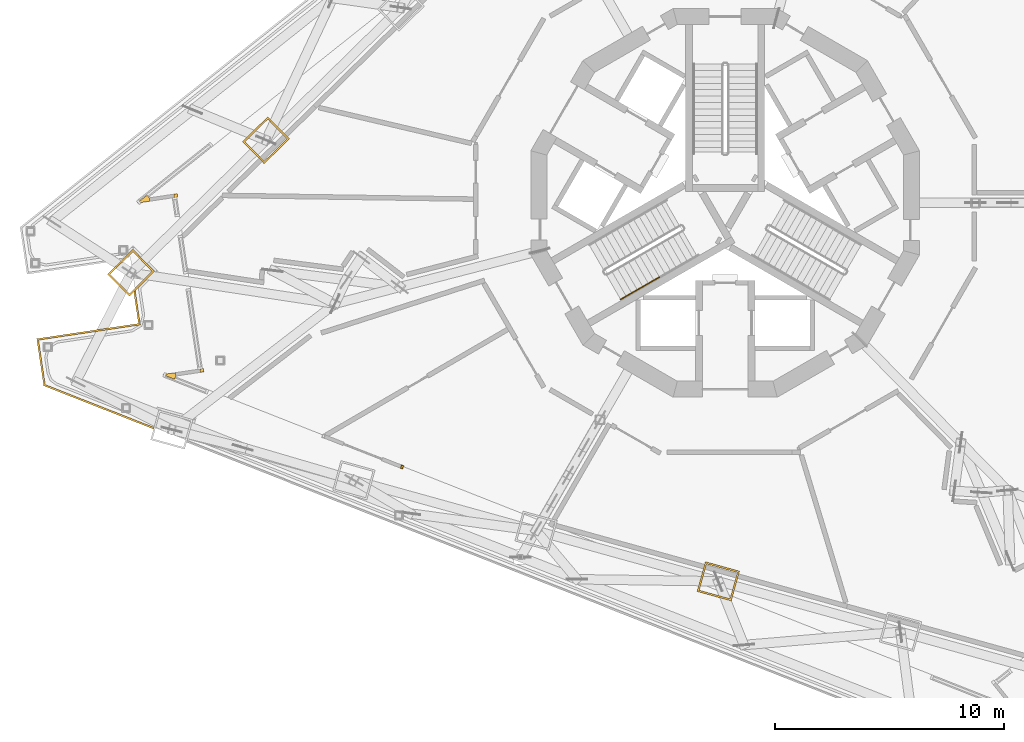
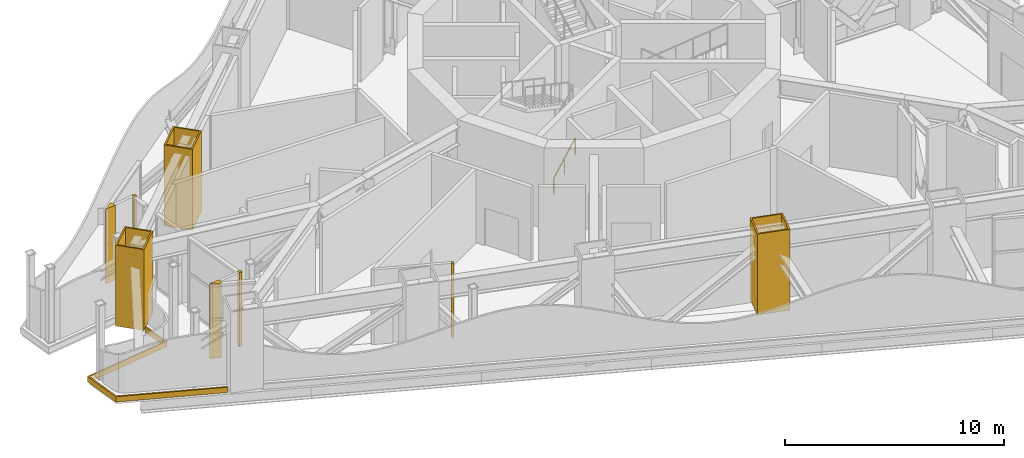
# One storey, part 20 of 27: 9 coverings, 1 railing.
"""IFC4 building model written with IfcOpenShell, lengths in metres."""

from ifc_helpers import new_model, si_unit, direction, frame, origin, origin_2d, place, context, subcontext, project, spatial, polyline, circle, outline, extrude, material, layer, layer_set, type_object, element, save


model = new_model("IFC4")

# Units and contexts
model_context = context("Model", 3, precision=1e-05, world=origin(), true_north=direction((0.0, 1.0)))
body_context = subcontext(model_context, "Body", "Model", "MODEL_VIEW")
ifc_project = project(units=[si_unit("LENGTHUNIT", "METRE"), si_unit("AREAUNIT", "SQUARE_METRE"), si_unit("VOLUMEUNIT", "CUBIC_METRE"), si_unit("PLANEANGLEUNIT", "RADIAN"), si_unit("MASSUNIT", "GRAM", prefix="KILO")], contexts=[model_context])

# Site, building, storey
site_placement = place(None, origin())
site = spatial("IfcSite", under=ifc_project, at=site_placement, CompositionType="ELEMENT")
building_placement = place(site_placement, origin())
building = spatial("IfcBuilding", under=site, at=building_placement, Name="Trine Commons Tower", CompositionType="ELEMENT")
storey_placement = place(building_placement, frame((0.0, 0.0, 230.39990234375)))
storey = spatial("IfcBuildingStorey", under=building, at=storey_placement, Name="L60", CompositionType="ELEMENT", Elevation=230.39990234375)

# Coverings
ifc_material_1 = material(Name="Aluminium-framed insulated wall panel", Category="aluminium")
ifc_layer_1 = layer(ifc_material_1, 0.14990234375)
ifc_layer_set_1 = layer_set([ifc_layer_1], Name="Aluminium-framed insulated wall panel")
covering_type_1 = type_object("IfcCoveringType", Name="Glazing corner post, aluminium", PredefinedType="CLADDING", material=ifc_layer_set_1)
covering_1_placement = place(storey_placement, origin())
element("IfcCovering", 1, at=covering_1_placement, inside=storey, type_object=covering_type_1, Name="Entrance wall jamb post F3 9A", PredefinedType="CLADDING", context=body_context, shape_type="SweptSolid", body=[
    extrude(outline(polyline([(65.8876953125, 50.86181640625), (65.794677734375, 50.8984375), (65.849609375, 51.0380859375), (65.942626953125, 51.00146484375), (65.8876953125, 50.86181640625)])), origin(), (0.0, 0.0, 1.0), 4.150146484375),
])
covering_2_placement = place(storey_placement, origin())
element("IfcCovering", 2, at=covering_2_placement, inside=storey, type_object=covering_type_1, Name="Glazing corner post 6-01", PredefinedType="CLADDING", context=body_context, shape_type="SweptSolid", body=[
    extrude(outline(polyline([(54.83642578125, 62.5712890625), (54.814208984375, 62.7197265625), (54.720947265625, 62.837158203125), (54.28271484375, 62.488525390625), (54.83642578125, 62.5712890625)])), origin(), (0.0, 0.0, 1.0), 4.150146484375),
])
covering_3_placement = place(storey_placement, origin())
element("IfcCovering", 3, at=covering_3_placement, inside=storey, type_object=covering_type_1, Name="Glazing corner post 6-10", PredefinedType="CLADDING", context=body_context, shape_type="SweptSolid", body=[
    extrude(outline(polyline([(55.924072265625, 54.78662109375), (55.97900390625, 54.92626953125), (55.956787109375, 55.07470703125), (55.4033203125, 54.991943359375), (55.924072265625, 54.78662109375)])), origin(), (0.0, 0.0, 1.0), 4.150146484375),
])
covering_4_placement = place(storey_placement, origin())
element("IfcCovering", 4, at=covering_4_placement, inside=storey, type_object=covering_type_1, Name="Glazing corner post 6-11", PredefinedType="CLADDING", context=body_context, shape_type="SweptSolid", body=[
    extrude(outline(polyline([(57.030517578125, 55.235107421875), (57.052734375, 55.0869140625), (57.201171875, 55.10888671875), (57.178955078125, 55.25732421875), (57.030517578125, 55.235107421875)])), origin(), (0.0, 0.0, 1.0), 4.150146484375),
])
covering_5_placement = place(storey_placement, origin())
element("IfcCovering", 5, at=covering_5_placement, inside=storey, type_object=covering_type_1, Name="Glazing corner post 6-12", PredefinedType="CLADDING", context=body_context, shape_type="SweptSolid", body=[
    extrude(outline(polyline([(55.91015625, 62.731689453125), (55.91015625, 62.731689453125), (56.05859375, 62.75390625), (56.036376953125, 62.90234375), (55.887939453125, 62.880126953125), (55.91015625, 62.731689453125)])), origin(), (0.0, 0.0, 1.0), 4.150146484375),
])
ifc_material_2 = material(Name="Limestone, honed", Category="masonry")
ifc_layer_2 = layer(ifc_material_2, 0.074951171875)
ifc_layer_set_2 = layer_set([ifc_layer_2], Name="Limestone, honed")
covering_type_2 = type_object("IfcCoveringType", Name="Limestone column cladding 75", PredefinedType="CLADDING", material=ifc_layer_set_2)
covering_6_placement = place(storey_placement, origin())
element("IfcCovering", 6, at=covering_6_placement, inside=storey, type_object=covering_type_2, Name="Limestone pier cladding 7-03", PredefinedType="CLADDING", context=body_context, shape_type="SweptSolid", body=[
    extrude(outline(polyline([(79.134521484375, 46.80810546875), (78.773681640625, 45.507080078125), (80.26708984375, 45.0927734375), (80.6279296875, 46.393798828125), (79.134521484375, 46.80810546875)]), holes=[polyline([(79.1865234375, 46.715576171875), (78.865966796875, 45.559326171875), (80.215087890625, 45.185302734375), (80.53564453125, 46.341552734375), (79.1865234375, 46.715576171875)])]), origin(), (0.0, 0.0, 1.0), 4.5),
])
covering_7_placement = place(storey_placement, origin())
element("IfcCovering", 7, at=covering_7_placement, inside=storey, type_object=covering_type_2, Name="Limestone pier cladding 7-07", PredefinedType="CLADDING", context=body_context, shape_type="SweptSolid", body=[
    extrude(outline(polyline([(55.0478515625, 59.50439453125), (54.1015625, 60.46728515625), (52.99609375, 59.380859375), (53.942138671875, 58.418212890625), (55.0478515625, 59.50439453125)]), holes=[polyline([(54.941650390625, 59.50537109375), (54.1005859375, 60.361328125), (53.10205078125, 59.3798828125), (53.943115234375, 58.524169921875), (54.941650390625, 59.50537109375)])]), origin(), (0.0, 0.0, 1.0), 4.5),
])
covering_8_placement = place(storey_placement, origin())
element("IfcCovering", 8, at=covering_8_placement, inside=storey, type_object=covering_type_2, Name="Limestone pier cladding 7-08", PredefinedType="CLADDING", context=body_context, shape_type="SweptSolid", body=[
    extrude(outline(polyline([(60.9453125, 65.300048828125), (59.999267578125, 66.262939453125), (58.8935546875, 65.176513671875), (59.83984375, 64.213623046875), (60.9453125, 65.300048828125)]), holes=[polyline([(60.83935546875, 65.301025390625), (59.998291015625, 66.156982421875), (58.999755859375, 65.175537109375), (59.8408203125, 64.319580078125), (60.83935546875, 65.301025390625)])]), origin(), (0.0, 0.0, 1.0), 4.5),
])
ifc_layer_3 = layer(ifc_material_2, 0.074951171875)
ifc_layer_set_3 = layer_set([ifc_layer_3], Name="Limestone, honed")
covering_type_3 = type_object("IfcCoveringType", Name="Limestone spandrel panel 75", PredefinedType="CLADDING", material=ifc_layer_set_3)
covering_9_placement = place(storey_placement, frame((0.0, 0.0, -0.2998046875)))
element("IfcCovering", 9, at=covering_9_placement, inside=storey, type_object=covering_type_3, Name="Limestone spandrel panel 6-01", PredefinedType="CLADDING", context=body_context, shape_type="SweptSolid", body=[
    extrude(outline(polyline([(50.19921875, 54.5), (55.00048828125, 52.608642578125), (55.020751953125, 52.681396484375), (50.26708984375, 54.5537109375), (49.976806640625, 56.496337890625), (54.42724609375, 57.16162109375), (54.201416015625, 58.672607421875), (54.13525390625, 58.60791015625), (54.342041015625, 57.224609375), (49.891357421875, 56.559326171875), (50.19921875, 54.5)])), origin(), (0.0, 0.0, 1.0), 0.2998046875),
])

# Railing
ifc_material_3 = material(Name="Stainless steel handrail", Category="steel")
railing_type = type_object("IfcRailingType", Name="Stair handrail, steel 900", PredefinedType="HANDRAIL", material=ifc_material_3)
railing_placement = place(storey_placement, frame((75.43017578125, 58.27392578125, 0.150146484375)))
element("IfcRailing", 10, at=railing_placement, inside=storey, type_object=railing_type, Name="L60 ST2C stair handrail 1", PredefinedType="HANDRAIL", context=body_context, shape_type="SweptSolid", body=[
    extrude(circle(Radius=0.02099609375, at=origin_2d()), frame((0.0, 0.0, 0.87890625), z_axis=(0.763397845365, 0.440713210311, 0.472224095054), x_axis=(-0.499970440388, 0.866042469362, 0.0)), (0.0, 0.0, 1.0), 2.2236328125),
    extrude(circle(Radius=0.01513671875, at=origin_2d()), origin(), (0.0, 0.0, 1.0), 0.85791015625),
    extrude(circle(Radius=0.01513671875, at=origin_2d()), frame((0.8486328125, 0.489990234375, 0.52490234375)), (0.0, 0.0, 1.0), 0.85791015625),
    extrude(circle(Radius=0.01513671875, at=origin_2d()), frame((1.697509765625, 0.97998046875, 1.050048828125)), (0.0, 0.0, 1.0), 0.85791015625),
])

save(model, "model.ifc")
